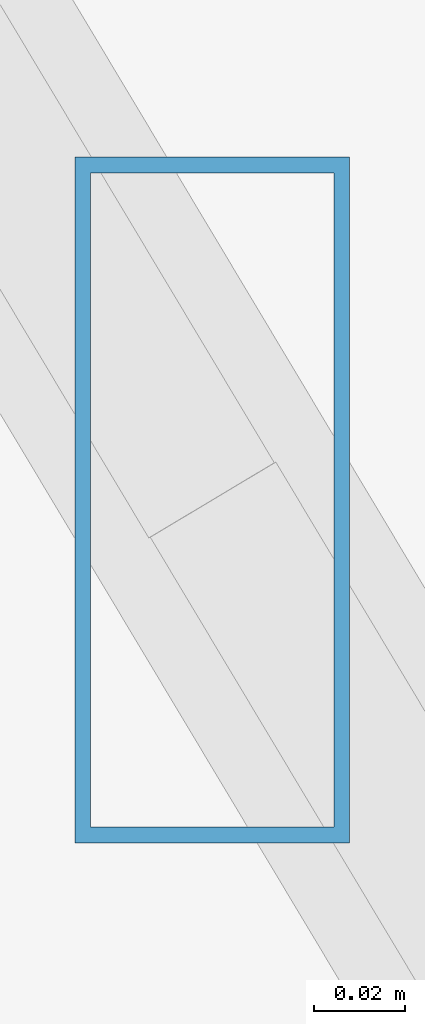
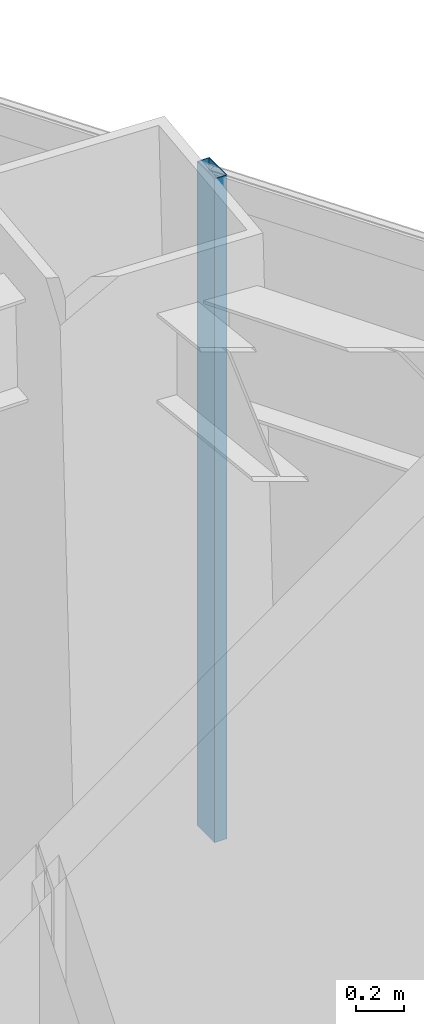
# One storey, part 34 of 41: 1 member, 1 element without a shape of its own.
"""IFC4 building model written with IfcOpenShell, lengths in metres."""

from ifc_helpers import new_model, si_unit, direction, frame, origin, origin_2d, place, context, subcontext, project, spatial, hollow_rectangle, extrude, source, transform, mapped, material, material_profile, profile_set, type_object, type_shapes, element, aggregate, save


model = new_model("IFC4")

# Units and contexts
model_context = context("Model", 3, precision=1e-05, world=origin(), true_north=direction((0.0, 1.0)))
body_context = subcontext(model_context, "Body", "Model", "MODEL_VIEW")
ifc_project = project(units=[si_unit("LENGTHUNIT", "METRE"), si_unit("AREAUNIT", "SQUARE_METRE"), si_unit("VOLUMEUNIT", "CUBIC_METRE"), si_unit("PLANEANGLEUNIT", "RADIAN"), si_unit("MASSUNIT", "GRAM", prefix="KILO")], contexts=[model_context])

# Site, building, storey
site_placement = place(None, origin())
site = spatial("IfcSite", under=ifc_project, at=site_placement, CompositionType="ELEMENT")
building_placement = place(site_placement, origin())
building = spatial("IfcBuilding", under=site, at=building_placement, Name="Caelisora Broadcast Tower", CompositionType="ELEMENT")
storey_placement = place(building_placement, frame((0.0, 0.0, 162.14990234375)))
storey = spatial("IfcBuildingStorey", under=building, at=storey_placement, Name="L42", CompositionType="ELEMENT", Elevation=162.14990234375)

# Curtain wall, member
ifc_material_1 = material(Name="Unitised Aluminium and Low-E Glass Curtain Wall", Category="glass")
curtain_wall_type = type_object("IfcCurtainWallType", Name="CW-Z3", PredefinedType="NOTDEFINED", material=ifc_material_1)
curtain_wall_placement = place(storey_placement, origin())
curtain_wall = element("IfcCurtainWall", 1, at=curtain_wall_placement, inside=storey, type_object=curtain_wall_type, Name="L42 curtain wall CW-Z3", PredefinedType="NOTDEFINED")
ifc_material_2 = material(Name="Aluminium 6063-T6 Anodised Terracotta Bronze", Category="aluminium")
ifc_material_profile = material_profile(ifc_material_2, hollow_rectangle(XDim=0.06005859375, YDim=0.14990234375, WallThickness=0.00341796875, at=origin_2d()), Name="Aluminium 6063-T6 Anodised Terracotta Bronze")
ifc_profile_set = profile_set([ifc_material_profile], Name="Aluminium 6063-T6 Anodised Terracotta Bronze")
member_type = type_object("IfcMemberType", Name="CWM-03", PredefinedType="MULLION", material=ifc_profile_set)
shared_shape = source(origin(), body_context, "Body", "SweptSolid", [
    extrude(hollow_rectangle(XDim=0.06005859375, YDim=0.14990234375, WallThickness=0.00341796875, at=origin_2d()), origin(), (0.0, 0.0, 1.0), 3.400146484375),
])
type_shapes(member_type, [shared_shape])
member_placement = place(storey_placement, frame((44.6875, 46.84765625, 0.0), z_axis=(0.0, 0.0, 1.0), x_axis=(1.0, 0.0, 0.0)))
member = element("IfcMember", 2, at=member_placement, type_object=member_type, Name="L42-CW-B01 mullion #1", PredefinedType="MULLION", context=body_context, shape_type="MappedRepresentation", body=[
    mapped(shared_shape, transform((0.0, 0.0, 0.0), scale=1.0)),
])
aggregate(curtain_wall, [member])

save(model, "model.ifc")
